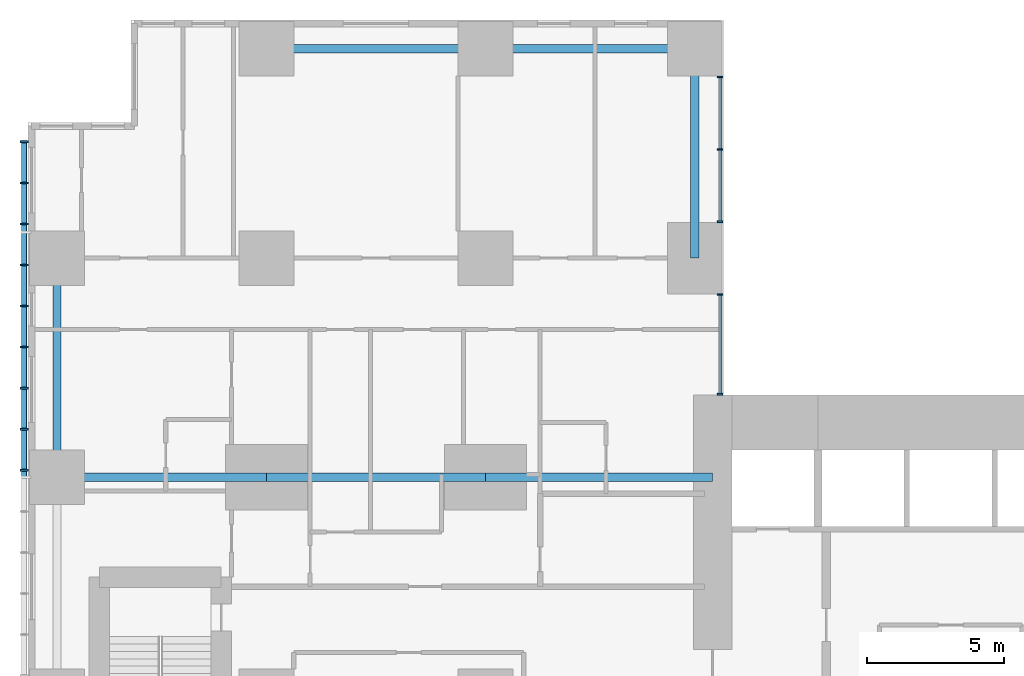
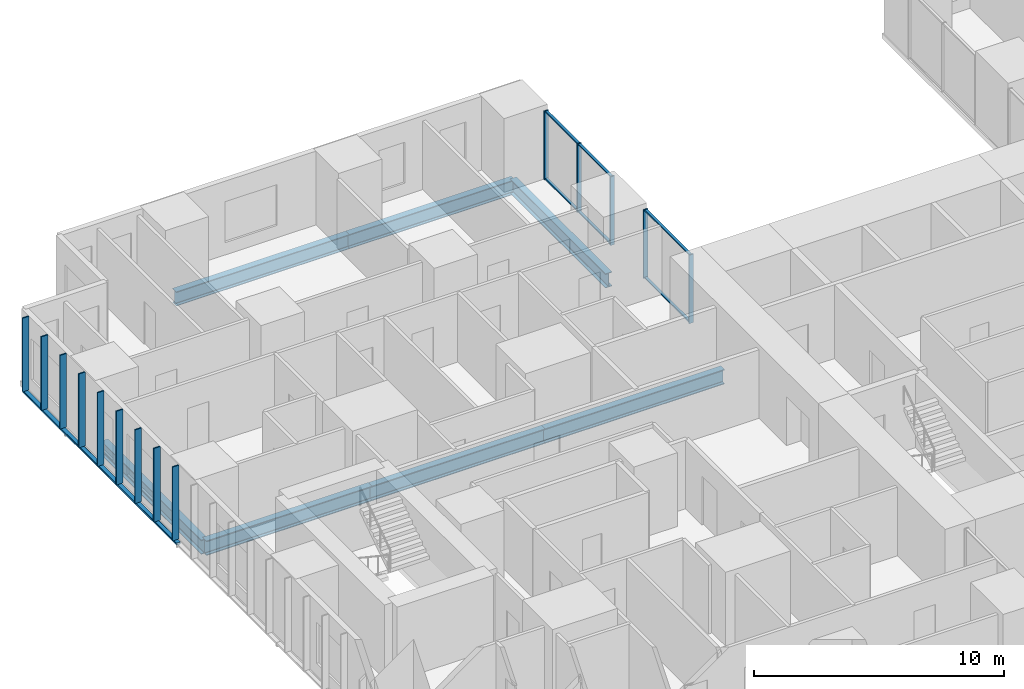
# One storey, part 4 of 21: 21 members, 7 beams, 2 elements without a shape of their own.
"""IFC4 building model written with IfcOpenShell, lengths in metres."""

from ifc_helpers import new_model, si_unit, direction, frame, origin, origin_2d, place, context, subcontext, project, spatial, rectangle, hollow_rectangle, i_section, extrude, material, layer, layer_set, material_profile, profile_set, type_object, element, aggregate, save


model = new_model("IFC4")

# Units and contexts
model_context = context("Model", 3, precision=1e-05, world=origin(), true_north=direction((0.0, 1.0)))
body_context = subcontext(model_context, "Body", "Model", "MODEL_VIEW")
ifc_project = project(units=[si_unit("LENGTHUNIT", "METRE"), si_unit("AREAUNIT", "SQUARE_METRE"), si_unit("VOLUMEUNIT", "CUBIC_METRE"), si_unit("PLANEANGLEUNIT", "RADIAN"), si_unit("MASSUNIT", "GRAM", prefix="KILO")], contexts=[model_context])

# Site, building, storey
site_placement = place(None, origin())
site = spatial("IfcSite", under=ifc_project, at=site_placement, CompositionType="ELEMENT")
building_placement = place(site_placement, origin())
building = spatial("IfcBuilding", under=site, at=building_placement, Name="Cleftline Residences", CompositionType="ELEMENT")
storey_placement = place(building_placement, frame((0.0, 0.0, 58.39990234375)))
storey = spatial("IfcBuildingStorey", under=building, at=storey_placement, Name="L14", CompositionType="ELEMENT", Elevation=58.39990234375)

# Member
ifc_material_1 = material(Name="Steel S355, hot-dip galvanised", Category="steel")
ifc_material_profile_1 = material_profile(ifc_material_1, hollow_rectangle(XDim=0.10009765625, YDim=0.199951171875, WallThickness=0.008056640625, InnerFilletRadius=0.008056640625, OuterFilletRadius=0.011962890625, at=origin_2d()))
ifc_profile_set_1 = profile_set([ifc_material_profile_1], Name="Steel S355, hot-dip galvanised")
member_type_1 = type_object("IfcMemberType", Name="BAGUETTE CARRIER RHS 200X100X8", PredefinedType="USERDEFINED", material=ifc_profile_set_1)
member_1_placement = place(storey_placement, frame((-0.85009765625, 44.300048828125, -0.0498046875), z_axis=(0.0, -1.0, 0.0), x_axis=(0.0, 0.0, 1.0)))
element("IfcMember", 1, at=member_1_placement, inside=storey, type_object=member_type_1, Name="Baguette carrier", ObjectType="BAGUETTE CARRIER", PredefinedType="USERDEFINED", context=body_context, shape_type="SweptSolid", body=[
    extrude(hollow_rectangle(XDim=0.10009765625, YDim=0.199951171875, WallThickness=0.008056640625, InnerFilletRadius=0.008056640625, OuterFilletRadius=0.011962890625, at=origin_2d()), origin(), (0.0, 0.0, 1.0), 12.300048828125),
])

# Beams
ifc_material_2 = material(Name="Steel S355", Category="steel")
ifc_material_profile_2 = material_profile(ifc_material_2, i_section(OverallWidth=0.300048828125, OverallDepth=0.699951171875, WebThickness=0.01708984375, FlangeThickness=0.031982421875, FilletRadius=0.027099609375, at=origin_2d()))
ifc_profile_set_2 = profile_set([ifc_material_profile_2], Name="Steel S355")
beam_type_1 = type_object("IfcBeamType", Name="BEAM HEB 700", PredefinedType="BEAM", material=ifc_profile_set_2)
for number, where, z_axis, x_axis, name in (
    (2, (0.35009765625, 32.0, -0.599853515625), (0.0, 1.0, 0.0), (-1.0, 0.0, 0.0), "Edge beam"),
    (3, (8.0, 47.64990234375, -0.599853515625), (1.0, 0.0, 0.0), (0.0, 1.0, 0.0), "Edge beam"),
):
    element("IfcBeam", number, at=place(storey_placement, frame(where, z_axis=z_axis, x_axis=x_axis)), inside=storey, type_object=beam_type_1, Name=name, PredefinedType="BEAM", context=body_context, shape_type="SweptSolid", body=[
        extrude(i_section(OverallWidth=0.300048828125, OverallDepth=0.699951171875, WebThickness=0.01708984375, FlangeThickness=0.031982421875, FilletRadius=0.027099609375, at=origin_2d()), origin(), (0.0, 0.0, 1.0), 8.0),
    ])
for number, where, z_axis, x_axis, name in (
    (4, (16.0, 47.64990234375, -0.599853515625), (1.0, 0.0, 0.0), (0.0, 1.0, 0.0), "Edge beam"),
    (5, (23.64990234375, 47.64990234375, -0.599853515625), (0.0, -1.0, 0.0), (1.0, 0.0, 0.0), "Edge beam"),
):
    element("IfcBeam", number, at=place(storey_placement, frame(where, z_axis=z_axis, x_axis=x_axis)), inside=storey, type_object=beam_type_1, Name=name, PredefinedType="BEAM", context=body_context, shape_type="SweptSolid", body=[
        extrude(i_section(OverallWidth=0.300048828125, OverallDepth=0.699951171875, WebThickness=0.01708984375, FlangeThickness=0.031982421875, FilletRadius=0.027099609375, at=origin_2d()), origin(), (0.0, 0.0, 1.0), 7.64990234375),
    ])
ifc_material_3 = material(Name="Steel S355", Category="steel")
ifc_material_profile_3 = material_profile(ifc_material_3, i_section(OverallWidth=0.303955078125, OverallDepth=0.716064453125, WebThickness=0.02099609375, FlangeThickness=0.0400390625, FilletRadius=0.027099609375, at=origin_2d()))
ifc_profile_set_3 = profile_set([ifc_material_profile_3], Name="Steel S355")
beam_type_2 = type_object("IfcBeamType", Name="BEAM HEM 700", PredefinedType="BEAM", material=ifc_profile_set_3)
beam_1_placement = place(storey_placement, frame((0.35009765625, 32.0, -0.60791015625), z_axis=(1.0, 0.0, 0.0), x_axis=(0.0, 1.0, 0.0)))
element("IfcBeam", 6, at=beam_1_placement, inside=storey, type_object=beam_type_2, Name="Band beam", PredefinedType="BEAM", context=body_context, shape_type="SweptSolid", body=[
    extrude(i_section(OverallWidth=0.303955078125, OverallDepth=0.716064453125, WebThickness=0.02099609375, FlangeThickness=0.0400390625, FilletRadius=0.027099609375, at=origin_2d()), origin(), (0.0, 0.0, 1.0), 7.64990234375),
])
beam_2_placement = place(storey_placement, frame((8.0, 32.0, -0.60791015625), z_axis=(1.0, 0.0, 0.0), x_axis=(0.0, 1.0, 0.0)))
element("IfcBeam", 7, at=beam_2_placement, inside=storey, type_object=beam_type_2, Name="Band beam", PredefinedType="BEAM", context=body_context, shape_type="SweptSolid", body=[
    extrude(i_section(OverallWidth=0.303955078125, OverallDepth=0.716064453125, WebThickness=0.02099609375, FlangeThickness=0.0400390625, FilletRadius=0.027099609375, at=origin_2d()), origin(), (0.0, 0.0, 1.0), 8.0),
])
beam_3_placement = place(storey_placement, frame((16.0, 32.0, -0.60791015625), z_axis=(1.0, 0.0, 0.0), x_axis=(0.0, 1.0, 0.0)))
element("IfcBeam", 8, at=beam_3_placement, inside=storey, type_object=beam_type_2, Name="Band beam", PredefinedType="BEAM", context=body_context, shape_type="SweptSolid", body=[
    extrude(i_section(OverallWidth=0.303955078125, OverallDepth=0.716064453125, WebThickness=0.02099609375, FlangeThickness=0.0400390625, FilletRadius=0.027099609375, at=origin_2d()), origin(), (0.0, 0.0, 1.0), 8.300048828125),
])

# Curtain wall, members
ifc_material_4 = material(Name="Aluminium framed curtain wall", Category="aluminium")
ifc_layer = layer(ifc_material_4, 0.199951171875)
ifc_layer_set = layer_set([ifc_layer], Name="CW1 CLEFT GLAZING")
curtain_wall_type = type_object("IfcCurtainWallType", Name="CW1 CLEFT GLAZING", PredefinedType="NOTDEFINED", material=ifc_layer_set)
curtain_wall_1_placement = place(storey_placement, origin())
curtain_wall_1 = element("IfcCurtainWall", 9, at=curtain_wall_1_placement, inside=storey, type_object=curtain_wall_type, Name="Curtain wall CW1", PredefinedType="NOTDEFINED")
ifc_material_5 = material(Name="Aluminium mullion", Category="aluminium")
ifc_material_profile_4 = material_profile(ifc_material_5, rectangle(XDim=0.199951171875, YDim=0.06005859375, at=origin_2d()))
ifc_profile_set_4 = profile_set([ifc_material_profile_4], Name="Aluminium mullion")
member_type_2 = type_object("IfcMemberType", Name="CW1 MULLION", PredefinedType="MULLION", material=ifc_profile_set_4)
member_2_placement = place(storey_placement, frame((24.574951171875, 35.030029296875, 0.0), z_axis=(0.0, 0.0, 1.0), x_axis=(-1.0, 0.0, 0.0)))
member_2 = element("IfcMember", 10, at=member_2_placement, type_object=member_type_2, Name="CW1 mullion 1", PredefinedType="MULLION", context=body_context, shape_type="SweptSolid", body=[
    extrude(rectangle(XDim=0.199951171875, YDim=0.06005859375, at=origin_2d()), origin(), (0.0, 0.0, 1.0), 3.35009765625),
])
member_3_placement = place(storey_placement, frame((24.574951171875, 38.669921875, 0.0), z_axis=(0.0, 0.0, 1.0), x_axis=(-1.0, 0.0, 0.0)))
member_3 = element("IfcMember", 11, at=member_3_placement, type_object=member_type_2, Name="CW1 mullion 2", PredefinedType="MULLION", context=body_context, shape_type="SweptSolid", body=[
    extrude(rectangle(XDim=0.199951171875, YDim=0.06005859375, at=origin_2d()), origin(), (0.0, 0.0, 1.0), 3.35009765625),
])

curtain_wall_2_placement = place(storey_placement, origin())
curtain_wall_2 = element("IfcCurtainWall", 12, at=curtain_wall_2_placement, inside=storey, type_object=curtain_wall_type, Name="Curtain wall CW1", PredefinedType="NOTDEFINED")
member_4_placement = place(storey_placement, frame((24.574951171875, 41.330078125, 0.0), z_axis=(0.0, 0.0, 1.0), x_axis=(-1.0, 0.0, 0.0)))
member_4 = element("IfcMember", 13, at=member_4_placement, type_object=member_type_2, Name="CW1 mullion 1", PredefinedType="MULLION", context=body_context, shape_type="SweptSolid", body=[
    extrude(rectangle(XDim=0.199951171875, YDim=0.06005859375, at=origin_2d()), origin(), (0.0, 0.0, 1.0), 3.35009765625),
])
member_5_placement = place(storey_placement, frame((24.574951171875, 43.97509765625, 0.0), z_axis=(0.0, 0.0, 1.0), x_axis=(-1.0, 0.0, 0.0)))
member_5 = element("IfcMember", 14, at=member_5_placement, type_object=member_type_2, Name="CW1 mullion 2", PredefinedType="MULLION", context=body_context, shape_type="SweptSolid", body=[
    extrude(rectangle(XDim=0.199951171875, YDim=0.06005859375, at=origin_2d()), origin(), (0.0, 0.0, 1.0), 3.35009765625),
])
member_6_placement = place(storey_placement, frame((24.574951171875, 46.6201171875, 0.0), z_axis=(0.0, 0.0, 1.0), x_axis=(-1.0, 0.0, 0.0)))
member_6 = element("IfcMember", 15, at=member_6_placement, type_object=member_type_2, Name="CW1 mullion 3", PredefinedType="MULLION", context=body_context, shape_type="SweptSolid", body=[
    extrude(rectangle(XDim=0.199951171875, YDim=0.06005859375, at=origin_2d()), origin(), (0.0, 0.0, 1.0), 3.35009765625),
])

# Member
ifc_material_6 = material(Name="Aluminium transom", Category="aluminium")
ifc_material_profile_5 = material_profile(ifc_material_6, rectangle(XDim=0.1201171875, YDim=0.06005859375, at=origin_2d()))
ifc_profile_set_5 = profile_set([ifc_material_profile_5], Name="Aluminium transom")
member_type_3 = type_object("IfcMemberType", Name="CW1 TRANSOM", PredefinedType="USERDEFINED", material=ifc_profile_set_5)
member_7_placement = place(storey_placement, frame((24.574951171875, 35.06005859375, 0.030029296875), z_axis=(0.0, 1.0, 0.0), x_axis=(-1.0, 0.0, 0.0)))
member_7 = element("IfcMember", 16, at=member_7_placement, type_object=member_type_3, Name="CW1 transom 1.1", ObjectType="TRANSOM", PredefinedType="USERDEFINED", context=body_context, shape_type="SweptSolid", body=[
    extrude(rectangle(XDim=0.1201171875, YDim=0.06005859375, at=origin_2d()), origin(), (0.0, 0.0, 1.0), 3.579833984375),
])

member_8_placement = place(storey_placement, frame((24.574951171875, 35.06005859375, 3.320068359375), z_axis=(0.0, 1.0, 0.0), x_axis=(-1.0, 0.0, 0.0)))
member_8 = element("IfcMember", 17, at=member_8_placement, type_object=member_type_3, Name="CW1 transom 1.2", ObjectType="TRANSOM", PredefinedType="USERDEFINED", context=body_context, shape_type="SweptSolid", body=[
    extrude(rectangle(XDim=0.1201171875, YDim=0.06005859375, at=origin_2d()), origin(), (0.0, 0.0, 1.0), 3.579833984375),
])

aggregate(curtain_wall_1, [member_2, member_3, member_7, member_8])

member_9_placement = place(storey_placement, frame((24.574951171875, 41.360107421875, 0.030029296875), z_axis=(0.0, 1.0, 0.0), x_axis=(-1.0, 0.0, 0.0)))
member_9 = element("IfcMember", 18, at=member_9_placement, type_object=member_type_3, Name="CW1 transom 1.1", ObjectType="TRANSOM", PredefinedType="USERDEFINED", context=body_context, shape_type="SweptSolid", body=[
    extrude(rectangle(XDim=0.1201171875, YDim=0.06005859375, at=origin_2d()), origin(), (0.0, 0.0, 1.0), 2.5849609375),
])

member_10_placement = place(storey_placement, frame((24.574951171875, 41.360107421875, 3.320068359375), z_axis=(0.0, 1.0, 0.0), x_axis=(-1.0, 0.0, 0.0)))
member_10 = element("IfcMember", 19, at=member_10_placement, type_object=member_type_3, Name="CW1 transom 1.2", ObjectType="TRANSOM", PredefinedType="USERDEFINED", context=body_context, shape_type="SweptSolid", body=[
    extrude(rectangle(XDim=0.1201171875, YDim=0.06005859375, at=origin_2d()), origin(), (0.0, 0.0, 1.0), 2.5849609375),
])

member_11_placement = place(storey_placement, frame((24.574951171875, 44.0048828125, 0.030029296875), z_axis=(0.0, 1.0, 0.0), x_axis=(-1.0, 0.0, 0.0)))
member_11 = element("IfcMember", 20, at=member_11_placement, type_object=member_type_3, Name="CW1 transom 2.1", ObjectType="TRANSOM", PredefinedType="USERDEFINED", context=body_context, shape_type="SweptSolid", body=[
    extrude(rectangle(XDim=0.1201171875, YDim=0.06005859375, at=origin_2d()), origin(), (0.0, 0.0, 1.0), 2.585205078125),
])

member_12_placement = place(storey_placement, frame((24.574951171875, 44.0048828125, 3.320068359375), z_axis=(0.0, 1.0, 0.0), x_axis=(-1.0, 0.0, 0.0)))
member_12 = element("IfcMember", 21, at=member_12_placement, type_object=member_type_3, Name="CW1 transom 2.2", ObjectType="TRANSOM", PredefinedType="USERDEFINED", context=body_context, shape_type="SweptSolid", body=[
    extrude(rectangle(XDim=0.1201171875, YDim=0.06005859375, at=origin_2d()), origin(), (0.0, 0.0, 1.0), 2.585205078125),
])

aggregate(curtain_wall_2, [member_4, member_5, member_6, member_9, member_10, member_11, member_12])

# Members
ifc_material_7 = material(Name="Extruded terracotta", Category="masonry")
ifc_material_profile_6 = material_profile(ifc_material_7, rectangle(XDim=0.06005859375, YDim=0.300048828125, at=origin_2d()))
ifc_profile_set_6 = profile_set([ifc_material_profile_6], Name="Extruded terracotta")
member_type_4 = type_object("IfcMemberType", Name="TERRACOTTA BAGUETTE 60X300", PredefinedType="USERDEFINED", material=ifc_profile_set_6)
for number, where, z_axis, x_axis, name in (
    (22, (-0.85009765625, 44.25, 0.0), (0.0, 0.0, 1.0), (0.0, 1.0, 0.0), "Terracotta baguette"),
    (23, (-0.85009765625, 42.75, 0.0), (0.0, 0.0, 1.0), (0.0, 1.0, 0.0), "Terracotta baguette"),
    (24, (-0.85009765625, 41.25, 0.0), (0.0, 0.0, 1.0), (0.0, 1.0, 0.0), "Terracotta baguette"),
    (25, (-0.85009765625, 39.75, 0.0), (0.0, 0.0, 1.0), (0.0, 1.0, 0.0), "Terracotta baguette"),
    (26, (-0.85009765625, 38.25, 0.0), (0.0, 0.0, 1.0), (0.0, 1.0, 0.0), "Terracotta baguette"),
    (27, (-0.85009765625, 36.75, 0.0), (0.0, 0.0, 1.0), (0.0, 1.0, 0.0), "Terracotta baguette"),
    (28, (-0.85009765625, 35.25, 0.0), (0.0, 0.0, 1.0), (0.0, 1.0, 0.0), "Terracotta baguette"),
    (29, (-0.85009765625, 33.75, 0.0), (0.0, 0.0, 1.0), (0.0, 1.0, 0.0), "Terracotta baguette"),
    (30, (-0.85009765625, 32.25, 0.0), (0.0, 0.0, 1.0), (0.0, 1.0, 0.0), "Terracotta baguette"),
):
    element("IfcMember", number, at=place(storey_placement, frame(where, z_axis=z_axis, x_axis=x_axis)), inside=storey, type_object=member_type_4, Name=name, ObjectType="BAGUETTE", PredefinedType="USERDEFINED", context=body_context, shape_type="SweptSolid", body=[
        extrude(rectangle(XDim=0.06005859375, YDim=0.300048828125, at=origin_2d()), origin(), (0.0, 0.0, 1.0), 3.60009765625),
    ])

save(model, "model.ifc")
